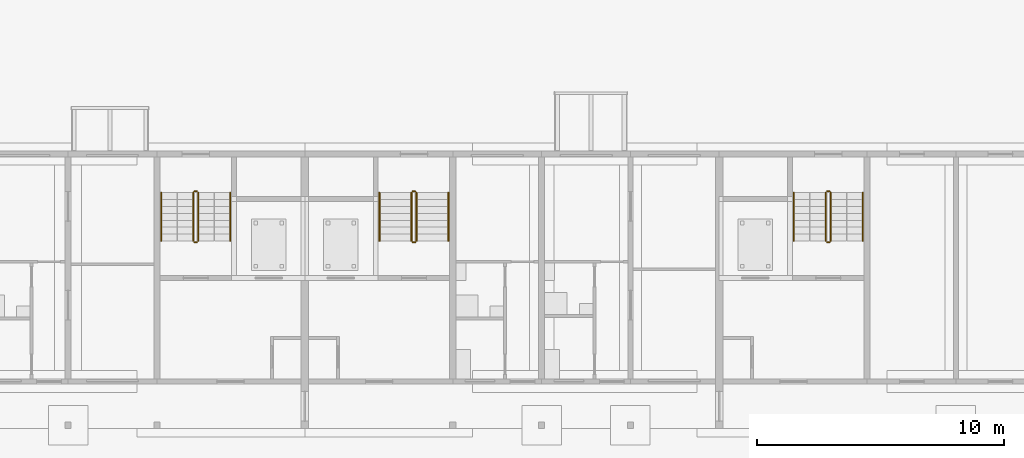
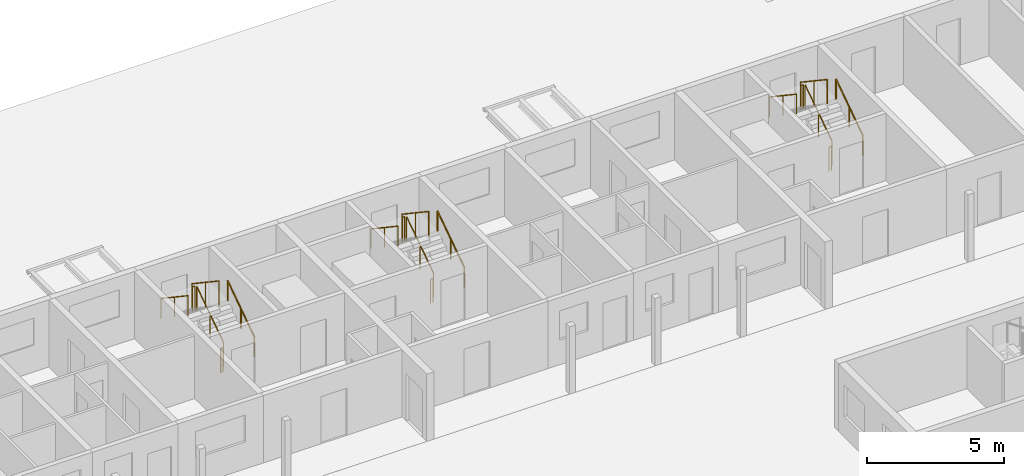
# One storey, part 95 of 112: 18 railings.
"""IFC4 building model written with IfcOpenShell, lengths in metres."""

from ifc_helpers import new_model, si_unit, direction, frame, origin, origin_2d, place, context, subcontext, project, spatial, circle, extrude, material, type_object, element, save


model = new_model("IFC4")

# Units and contexts
model_context = context("Model", 3, precision=1e-05, world=origin(), true_north=direction((0.0, 1.0)))
body_context = subcontext(model_context, "Body", "Model", "MODEL_VIEW")
ifc_project = project(units=[si_unit("LENGTHUNIT", "METRE"), si_unit("AREAUNIT", "SQUARE_METRE"), si_unit("VOLUMEUNIT", "CUBIC_METRE"), si_unit("PLANEANGLEUNIT", "RADIAN"), si_unit("MASSUNIT", "GRAM", prefix="KILO")], contexts=[model_context])

# Site, building, storey
site_placement = place(None, origin())
site = spatial("IfcSite", under=ifc_project, at=site_placement, CompositionType="ELEMENT")
building_placement = place(site_placement, origin())
building = spatial("IfcBuilding", under=site, at=building_placement, Name="Ridgestep Commons", CompositionType="ELEMENT")
storey_placement = place(building_placement, origin())
storey = spatial("IfcBuildingStorey", under=building, at=storey_placement, Name="L00", CompositionType="ELEMENT", Elevation=0.0)

# Railings
ifc_material_1 = material(Name="Structural steel S355JR", Category="steel")
railing_type_1 = type_object("IfcRailingType", Name="Stair guard 1100", PredefinedType="GUARDRAIL", material=ifc_material_1)
railing_1_placement = place(storey_placement, frame((74.875, 73.60009765625, 0.1875)))
element("IfcRailing", 1, at=railing_1_placement, inside=storey, type_object=railing_type_1, Name="L00 B4C stair guard 1", PredefinedType="GUARDRAIL", context=body_context, shape_type="SweptSolid", body=[
    extrude(circle(Radius=0.02392578125, at=origin_2d()), frame((0.0, 0.0, 1.076171875), z_axis=(0.0, 0.830902050051, 0.556418712142), x_axis=(-1.0, 0.0, 0.0)), (0.0, 0.0, 1.0), 2.35888671875),
    extrude(circle(Radius=0.02099609375, at=origin_2d()), origin(), (0.0, 0.0, 1.0), 1.052001953125),
    extrude(circle(Radius=0.02099609375, at=origin_2d()), frame((0.0, 0.97998046875, 0.65625)), (0.0, 0.0, 1.0), 1.052001953125),
    extrude(circle(Radius=0.02099609375, at=origin_2d()), frame((0.0, 1.9599609375, 1.3125)), (0.0, 0.0, 1.0), 1.052001953125),
])
railing_2_placement = place(storey_placement, frame((74.824951171875, 75.610107421875, 1.5)))
element("IfcRailing", 2, at=railing_2_placement, inside=storey, type_object=railing_type_1, Name="L00 B4C stair guard 2", PredefinedType="GUARDRAIL", context=body_context, shape_type="SweptSolid", body=[
    extrude(circle(Radius=0.02392578125, at=origin_2d()), frame((0.0, 0.0, 1.076171875), z_axis=(-1.0, 0.0, 0.0), x_axis=(0.0, -1.0, 0.0)), (0.0, 0.0, 1.0), 0.099853515625),
    extrude(circle(Radius=0.02099609375, at=origin_2d()), origin(), (0.0, 0.0, 1.0), 1.052001953125),
    extrude(circle(Radius=0.02099609375, at=origin_2d()), frame((-0.099853515625, 0.0, 0.0)), (0.0, 0.0, 1.0), 1.052001953125),
])
railing_3_placement = place(storey_placement, frame((74.675048828125, 75.56005859375, 1.6875)))
element("IfcRailing", 3, at=railing_3_placement, inside=storey, type_object=railing_type_1, Name="L00 B4C stair guard 3", PredefinedType="GUARDRAIL", context=body_context, shape_type="SweptSolid", body=[
    extrude(circle(Radius=0.02392578125, at=origin_2d()), frame((0.0, 0.0, 1.076171875), z_axis=(0.0, -0.830902050051, 0.556418712142), x_axis=(1.0, 0.0, 0.0)), (0.0, 0.0, 1.0), 2.35888671875),
    extrude(circle(Radius=0.02099609375, at=origin_2d()), origin(), (0.0, 0.0, 1.0), 1.052001953125),
    extrude(circle(Radius=0.02099609375, at=origin_2d()), frame((0.0, -0.97998046875, 0.65625)), (0.0, 0.0, 1.0), 1.052001953125),
    extrude(circle(Radius=0.02099609375, at=origin_2d()), frame((0.0, -1.9599609375, 1.3125)), (0.0, 0.0, 1.0), 1.052001953125),
])
railing_4_placement = place(storey_placement, frame((74.824951171875, 73.550048828125, 0.0)))
element("IfcRailing", 4, at=railing_4_placement, inside=storey, type_object=railing_type_1, Name="L00 B4C stair guard 4", PredefinedType="GUARDRAIL", context=body_context, shape_type="SweptSolid", body=[
    extrude(circle(Radius=0.02392578125, at=origin_2d()), frame((0.0, 0.0, 1.076171875), z_axis=(-1.0, 0.0, 0.0), x_axis=(0.0, -1.0, 0.0)), (0.0, 0.0, 1.0), 0.099853515625),
    extrude(circle(Radius=0.02099609375, at=origin_2d()), origin(), (0.0, 0.0, 1.0), 1.052001953125),
    extrude(circle(Radius=0.02099609375, at=origin_2d()), frame((-0.099853515625, 0.0, 0.0)), (0.0, 0.0, 1.0), 1.052001953125),
])
railing_5_placement = place(storey_placement, frame((83.72509765625, 73.60009765625, 0.1875)))
element("IfcRailing", 5, at=railing_5_placement, inside=storey, type_object=railing_type_1, Name="L00 B5C stair guard 1", PredefinedType="GUARDRAIL", context=body_context, shape_type="SweptSolid", body=[
    extrude(circle(Radius=0.02392578125, at=origin_2d()), frame((0.0, 0.0, 1.076171875), z_axis=(0.0, 0.830902050051, 0.556418712142), x_axis=(-1.0, 0.0, 0.0)), (0.0, 0.0, 1.0), 2.35888671875),
    extrude(circle(Radius=0.02099609375, at=origin_2d()), origin(), (0.0, 0.0, 1.0), 1.052001953125),
    extrude(circle(Radius=0.02099609375, at=origin_2d()), frame((0.0, 0.97998046875, 0.65625)), (0.0, 0.0, 1.0), 1.052001953125),
    extrude(circle(Radius=0.02099609375, at=origin_2d()), frame((0.0, 1.9599609375, 1.3125)), (0.0, 0.0, 1.0), 1.052001953125),
])
railing_6_placement = place(storey_placement, frame((83.675048828125, 75.610107421875, 1.5)))
element("IfcRailing", 6, at=railing_6_placement, inside=storey, type_object=railing_type_1, Name="L00 B5C stair guard 2", PredefinedType="GUARDRAIL", context=body_context, shape_type="SweptSolid", body=[
    extrude(circle(Radius=0.02392578125, at=origin_2d()), frame((0.0, 0.0, 1.076171875), z_axis=(-1.0, 0.0, 0.0), x_axis=(0.0, -1.0, 0.0)), (0.0, 0.0, 1.0), 0.10009765625),
    extrude(circle(Radius=0.02099609375, at=origin_2d()), origin(), (0.0, 0.0, 1.0), 1.052001953125),
    extrude(circle(Radius=0.02099609375, at=origin_2d()), frame((-0.10009765625, 0.0, 0.0)), (0.0, 0.0, 1.0), 1.052001953125),
])
railing_7_placement = place(storey_placement, frame((83.52490234375, 75.56005859375, 1.6875)))
element("IfcRailing", 7, at=railing_7_placement, inside=storey, type_object=railing_type_1, Name="L00 B5C stair guard 3", PredefinedType="GUARDRAIL", context=body_context, shape_type="SweptSolid", body=[
    extrude(circle(Radius=0.02392578125, at=origin_2d()), frame((0.0, 0.0, 1.076171875), z_axis=(0.0, -0.830902050051, 0.556418712142), x_axis=(1.0, 0.0, 0.0)), (0.0, 0.0, 1.0), 2.35888671875),
    extrude(circle(Radius=0.02099609375, at=origin_2d()), origin(), (0.0, 0.0, 1.0), 1.052001953125),
    extrude(circle(Radius=0.02099609375, at=origin_2d()), frame((0.0, -0.97998046875, 0.65625)), (0.0, 0.0, 1.0), 1.052001953125),
    extrude(circle(Radius=0.02099609375, at=origin_2d()), frame((0.0, -1.9599609375, 1.3125)), (0.0, 0.0, 1.0), 1.052001953125),
])
railing_8_placement = place(storey_placement, frame((83.675048828125, 73.550048828125, 0.0)))
element("IfcRailing", 8, at=railing_8_placement, inside=storey, type_object=railing_type_1, Name="L00 B5C stair guard 4", PredefinedType="GUARDRAIL", context=body_context, shape_type="SweptSolid", body=[
    extrude(circle(Radius=0.02392578125, at=origin_2d()), frame((0.0, 0.0, 1.076171875), z_axis=(-1.0, 0.0, 0.0), x_axis=(0.0, -1.0, 0.0)), (0.0, 0.0, 1.0), 0.10009765625),
    extrude(circle(Radius=0.02099609375, at=origin_2d()), origin(), (0.0, 0.0, 1.0), 1.052001953125),
    extrude(circle(Radius=0.02099609375, at=origin_2d()), frame((-0.10009765625, 0.0, 0.0)), (0.0, 0.0, 1.0), 1.052001953125),
])
railing_9_placement = place(storey_placement, frame((100.52490234375, 73.60009765625, 0.1875)))
element("IfcRailing", 9, at=railing_9_placement, inside=storey, type_object=railing_type_1, Name="L00 B6C stair guard 1", PredefinedType="GUARDRAIL", context=body_context, shape_type="SweptSolid", body=[
    extrude(circle(Radius=0.02392578125, at=origin_2d()), frame((0.0, 0.0, 1.076171875), z_axis=(0.0, 0.830902050051, 0.556418712142), x_axis=(-1.0, 0.0, 0.0)), (0.0, 0.0, 1.0), 2.35888671875),
    extrude(circle(Radius=0.02099609375, at=origin_2d()), origin(), (0.0, 0.0, 1.0), 1.052001953125),
    extrude(circle(Radius=0.02099609375, at=origin_2d()), frame((0.0, 0.97998046875, 0.65625)), (0.0, 0.0, 1.0), 1.052001953125),
    extrude(circle(Radius=0.02099609375, at=origin_2d()), frame((0.0, 1.9599609375, 1.3125)), (0.0, 0.0, 1.0), 1.052001953125),
])
railing_10_placement = place(storey_placement, frame((100.47509765625, 75.610107421875, 1.5)))
element("IfcRailing", 10, at=railing_10_placement, inside=storey, type_object=railing_type_1, Name="L00 B6C stair guard 2", PredefinedType="GUARDRAIL", context=body_context, shape_type="SweptSolid", body=[
    extrude(circle(Radius=0.02392578125, at=origin_2d()), frame((0.0, 0.0, 1.076171875), z_axis=(-1.0, 0.0, 0.0), x_axis=(0.0, -1.0, 0.0)), (0.0, 0.0, 1.0), 0.10009765625),
    extrude(circle(Radius=0.02099609375, at=origin_2d()), origin(), (0.0, 0.0, 1.0), 1.052001953125),
    extrude(circle(Radius=0.02099609375, at=origin_2d()), frame((-0.10009765625, 0.0, 0.0)), (0.0, 0.0, 1.0), 1.052001953125),
])
railing_11_placement = place(storey_placement, frame((100.324951171875, 75.56005859375, 1.6875)))
element("IfcRailing", 11, at=railing_11_placement, inside=storey, type_object=railing_type_1, Name="L00 B6C stair guard 3", PredefinedType="GUARDRAIL", context=body_context, shape_type="SweptSolid", body=[
    extrude(circle(Radius=0.02392578125, at=origin_2d()), frame((0.0, 0.0, 1.076171875), z_axis=(0.0, -0.830902050051, 0.556418712142), x_axis=(1.0, 0.0, 0.0)), (0.0, 0.0, 1.0), 2.35888671875),
    extrude(circle(Radius=0.02099609375, at=origin_2d()), origin(), (0.0, 0.0, 1.0), 1.052001953125),
    extrude(circle(Radius=0.02099609375, at=origin_2d()), frame((0.0, -0.97998046875, 0.65625)), (0.0, 0.0, 1.0), 1.052001953125),
    extrude(circle(Radius=0.02099609375, at=origin_2d()), frame((0.0, -1.9599609375, 1.3125)), (0.0, 0.0, 1.0), 1.052001953125),
])
railing_12_placement = place(storey_placement, frame((100.47509765625, 73.550048828125, 0.0)))
element("IfcRailing", 12, at=railing_12_placement, inside=storey, type_object=railing_type_1, Name="L00 B6C stair guard 4", PredefinedType="GUARDRAIL", context=body_context, shape_type="SweptSolid", body=[
    extrude(circle(Radius=0.02392578125, at=origin_2d()), frame((0.0, 0.0, 1.076171875), z_axis=(-1.0, 0.0, 0.0), x_axis=(0.0, -1.0, 0.0)), (0.0, 0.0, 1.0), 0.10009765625),
    extrude(circle(Radius=0.02099609375, at=origin_2d()), origin(), (0.0, 0.0, 1.0), 1.052001953125),
    extrude(circle(Radius=0.02099609375, at=origin_2d()), frame((-0.10009765625, 0.0, 0.0)), (0.0, 0.0, 1.0), 1.052001953125),
])
ifc_material_2 = material(Name="Structural steel S355JR", Category="steel")
railing_type_2 = type_object("IfcRailingType", Name="Stair handrail 900", PredefinedType="HANDRAIL", material=ifc_material_2)
railing_13_placement = place(storey_placement, frame((76.175048828125, 73.60009765625, 0.1875)))
element("IfcRailing", 13, at=railing_13_placement, inside=storey, type_object=railing_type_2, Name="L00 B4C stair handrail 1", PredefinedType="HANDRAIL", context=body_context, shape_type="SweptSolid", body=[
    extrude(circle(Radius=0.02392578125, at=origin_2d()), frame((0.0, 0.0, 0.8759765625), z_axis=(0.0, 0.830902050051, 0.556418712142), x_axis=(-1.0, 0.0, 0.0)), (0.0, 0.0, 1.0), 2.35888671875),
    extrude(circle(Radius=0.02099609375, at=origin_2d()), origin(), (0.0, 0.0, 1.0), 0.851806640625),
    extrude(circle(Radius=0.02099609375, at=origin_2d()), frame((0.0, 0.97998046875, 0.65625)), (0.0, 0.0, 1.0), 0.851806640625),
    extrude(circle(Radius=0.02099609375, at=origin_2d()), frame((0.0, 1.9599609375, 1.3125)), (0.0, 0.0, 1.0), 0.851806640625),
])
railing_14_placement = place(storey_placement, frame((73.375, 75.56005859375, 1.6875)))
element("IfcRailing", 14, at=railing_14_placement, inside=storey, type_object=railing_type_2, Name="L00 B4C stair handrail 2", PredefinedType="HANDRAIL", context=body_context, shape_type="SweptSolid", body=[
    extrude(circle(Radius=0.02392578125, at=origin_2d()), frame((0.0, 0.0, 0.8759765625), z_axis=(0.0, -0.830902050051, 0.556418712142), x_axis=(1.0, 0.0, 0.0)), (0.0, 0.0, 1.0), 2.35888671875),
    extrude(circle(Radius=0.02099609375, at=origin_2d()), origin(), (0.0, 0.0, 1.0), 0.851806640625),
    extrude(circle(Radius=0.02099609375, at=origin_2d()), frame((0.0, -0.97998046875, 0.65625)), (0.0, 0.0, 1.0), 0.851806640625),
    extrude(circle(Radius=0.02099609375, at=origin_2d()), frame((0.0, -1.9599609375, 1.3125)), (0.0, 0.0, 1.0), 0.851806640625),
])
railing_15_placement = place(storey_placement, frame((85.02490234375, 73.60009765625, 0.1875)))
element("IfcRailing", 15, at=railing_15_placement, inside=storey, type_object=railing_type_2, Name="L00 B5C stair handrail 1", PredefinedType="HANDRAIL", context=body_context, shape_type="SweptSolid", body=[
    extrude(circle(Radius=0.02392578125, at=origin_2d()), frame((0.0, 0.0, 0.8759765625), z_axis=(0.0, 0.830902050051, 0.556418712142), x_axis=(-1.0, 0.0, 0.0)), (0.0, 0.0, 1.0), 2.35888671875),
    extrude(circle(Radius=0.02099609375, at=origin_2d()), origin(), (0.0, 0.0, 1.0), 0.851806640625),
    extrude(circle(Radius=0.02099609375, at=origin_2d()), frame((0.0, 0.97998046875, 0.65625)), (0.0, 0.0, 1.0), 0.851806640625),
    extrude(circle(Radius=0.02099609375, at=origin_2d()), frame((0.0, 1.9599609375, 1.3125)), (0.0, 0.0, 1.0), 0.851806640625),
])
railing_16_placement = place(storey_placement, frame((82.22509765625, 75.56005859375, 1.6875)))
element("IfcRailing", 16, at=railing_16_placement, inside=storey, type_object=railing_type_2, Name="L00 B5C stair handrail 2", PredefinedType="HANDRAIL", context=body_context, shape_type="SweptSolid", body=[
    extrude(circle(Radius=0.02392578125, at=origin_2d()), frame((0.0, 0.0, 0.8759765625), z_axis=(0.0, -0.830902050051, 0.556418712142), x_axis=(1.0, 0.0, 0.0)), (0.0, 0.0, 1.0), 2.35888671875),
    extrude(circle(Radius=0.02099609375, at=origin_2d()), origin(), (0.0, 0.0, 1.0), 0.851806640625),
    extrude(circle(Radius=0.02099609375, at=origin_2d()), frame((0.0, -0.97998046875, 0.65625)), (0.0, 0.0, 1.0), 0.851806640625),
    extrude(circle(Radius=0.02099609375, at=origin_2d()), frame((0.0, -1.9599609375, 1.3125)), (0.0, 0.0, 1.0), 0.851806640625),
])
railing_17_placement = place(storey_placement, frame((101.824951171875, 73.60009765625, 0.1875)))
element("IfcRailing", 17, at=railing_17_placement, inside=storey, type_object=railing_type_2, Name="L00 B6C stair handrail 1", PredefinedType="HANDRAIL", context=body_context, shape_type="SweptSolid", body=[
    extrude(circle(Radius=0.02392578125, at=origin_2d()), frame((0.0, 0.0, 0.8759765625), z_axis=(0.0, 0.830902050051, 0.556418712142), x_axis=(-1.0, 0.0, 0.0)), (0.0, 0.0, 1.0), 2.35888671875),
    extrude(circle(Radius=0.02099609375, at=origin_2d()), origin(), (0.0, 0.0, 1.0), 0.851806640625),
    extrude(circle(Radius=0.02099609375, at=origin_2d()), frame((0.0, 0.97998046875, 0.65625)), (0.0, 0.0, 1.0), 0.851806640625),
    extrude(circle(Radius=0.02099609375, at=origin_2d()), frame((0.0, 1.9599609375, 1.3125)), (0.0, 0.0, 1.0), 0.851806640625),
])
railing_18_placement = place(storey_placement, frame((99.02490234375, 75.56005859375, 1.6875)))
element("IfcRailing", 18, at=railing_18_placement, inside=storey, type_object=railing_type_2, Name="L00 B6C stair handrail 2", PredefinedType="HANDRAIL", context=body_context, shape_type="SweptSolid", body=[
    extrude(circle(Radius=0.02392578125, at=origin_2d()), frame((0.0, 0.0, 0.8759765625), z_axis=(0.0, -0.830902050051, 0.556418712142), x_axis=(1.0, 0.0, 0.0)), (0.0, 0.0, 1.0), 2.35888671875),
    extrude(circle(Radius=0.02099609375, at=origin_2d()), origin(), (0.0, 0.0, 1.0), 0.851806640625),
    extrude(circle(Radius=0.02099609375, at=origin_2d()), frame((0.0, -0.97998046875, 0.65625)), (0.0, 0.0, 1.0), 0.851806640625),
    extrude(circle(Radius=0.02099609375, at=origin_2d()), frame((0.0, -1.9599609375, 1.3125)), (0.0, 0.0, 1.0), 0.851806640625),
])

save(model, "model.ifc")
